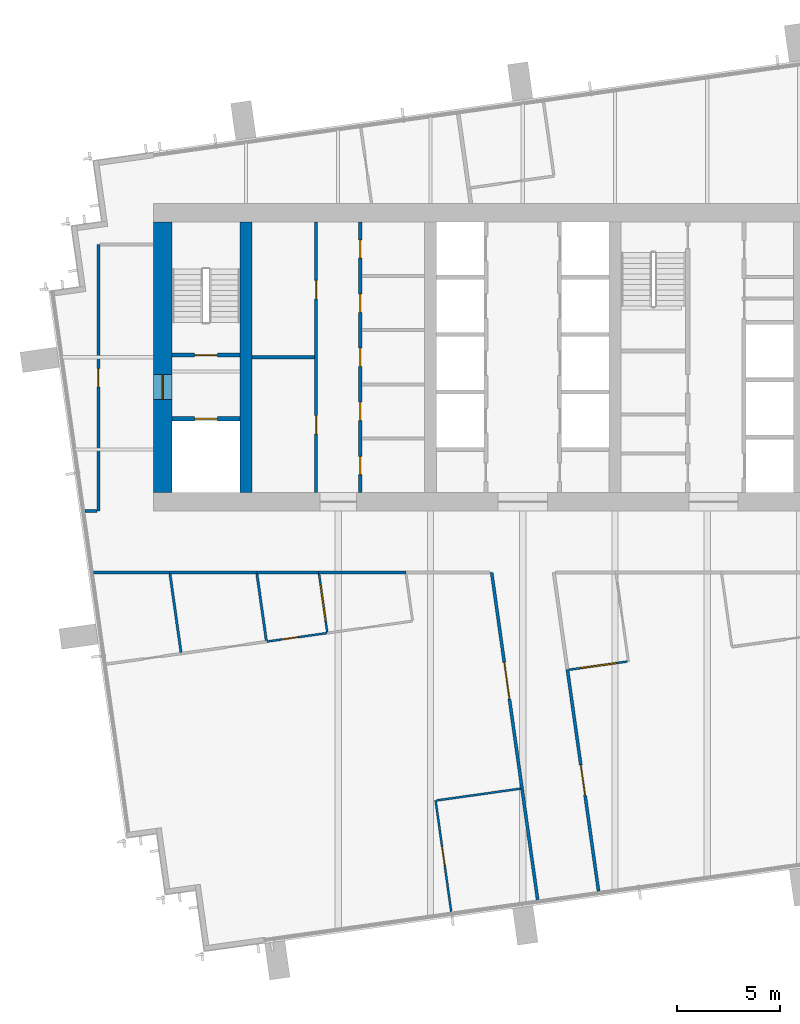
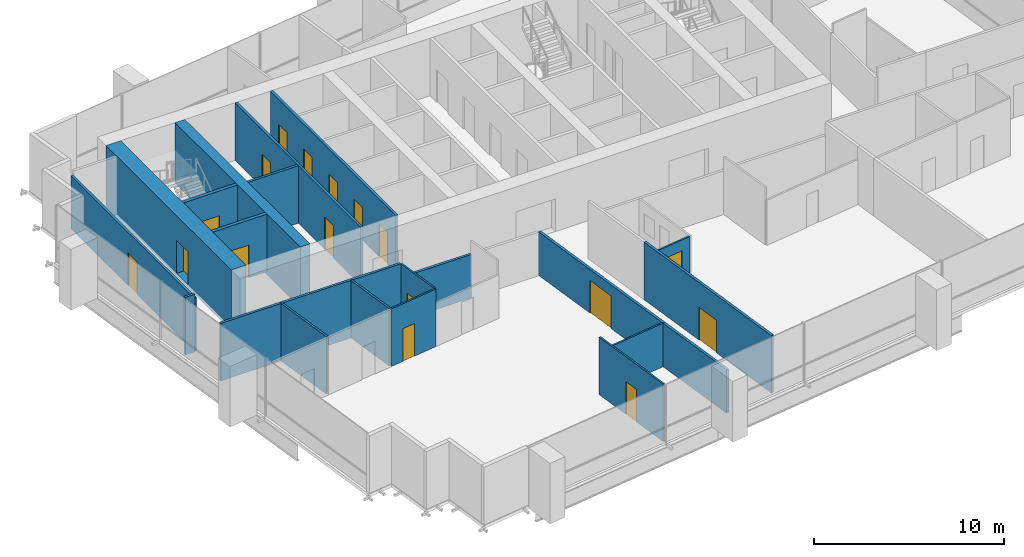
# One storey, part 9 of 14: 23 walls, 15 doors, 2 windows, 17 openings.
"""IFC4 building model written with IfcOpenShell, lengths in metres."""

import ifcopenshell
import ifcopenshell.guid

model = None  # the IFC model being written
_history = None  # IfcOwnerHistory: only IFC2X3 demands one
_inside = {}  # id of a spatial element -> (the spatial element, [elements in it])
_under = {}  # id of a project, library or spatial element -> (it, [spatial elements below it])
_declared = {}  # id of a project -> (the project, [libraries it declares])
_typed = {}  # id of a type object -> (the type object, [elements of that type])
_made_of = {}  # id of a material, layer set ... -> (it, [elements and type objects made of it])


def new_model(schema):
    """Start an empty IFC model of exactly this schema.

    Asked for "IFC4X3", IfcOpenShell would pick the latest addendum, in which some entities
    have other attributes; the version numbers below select the first issue.
    IFC2X3 requires an IfcOwnerHistory on every rooted entity: one is made here for all.
    """
    global model, _history
    if schema == "IFC4X3":
        model = ifcopenshell.file(schema_version=(4, 3, 0, 0))
    else:
        model = ifcopenshell.file(schema=schema)
    _inside.clear()
    _under.clear()
    _declared.clear()
    _typed.clear()
    _made_of.clear()
    _history = None
    if model.schema == "IFC2X3":
        org = make("IfcOrganization", Name="unknown")
        user = make(
            "IfcPersonAndOrganization",
            ThePerson=make("IfcPerson", FamilyName="unknown"),
            TheOrganization=org,
        )
        app = make(
            "IfcApplication",
            ApplicationDeveloper=org,
            Version="unknown",
            ApplicationFullName="unknown",
            ApplicationIdentifier="unknown",
        )
        _history = make(
            "IfcOwnerHistory",
            OwningUser=user,
            OwningApplication=app,
            ChangeAction="ADDED",
            CreationDate=0,
        )
    return model


def make(cls, **values):
    """One entity of the class cls with the attributes given. An attribute that is None is left unset."""
    return model.create_entity(
        cls, **{name: value for name, value in values.items() if value is not None}
    )


def rooted(cls, **values):
    """An entity with a GlobalId (a new one), such as an element, a storey or a relation."""
    return make(cls, GlobalId=ifcopenshell.guid.new(), OwnerHistory=_history, **values)


def si_unit(unit_type, name, prefix=None):
    """IfcSIUnit, for example si_unit("LENGTHUNIT", "METRE", prefix="MILLI")."""
    return make("IfcSIUnit", UnitType=unit_type, Prefix=prefix, Name=name)


def assignment(units):
    """IfcUnitAssignment: the units of a project."""
    return None if units is None else make("IfcUnitAssignment", Units=units)


def point(xyz):
    """IfcCartesianPoint."""
    return None if xyz is None else make("IfcCartesianPoint", Coordinates=xyz)


def direction(xyz):
    """IfcDirection."""
    return None if xyz is None else make("IfcDirection", DirectionRatios=xyz)


def frame(location, z_axis=None, x_axis=None):
    """IfcAxis2Placement3D, a coordinate frame: its origin and axes. An axis left out is left unset."""
    return make(
        "IfcAxis2Placement3D",
        Location=point(location),
        Axis=direction(z_axis),
        RefDirection=direction(x_axis),
    )


def frame_2d(location, x_axis=None):
    """IfcAxis2Placement2D, a coordinate frame in the plane: its origin and x axis."""
    return make(
        "IfcAxis2Placement2D", Location=point(location), RefDirection=direction(x_axis)
    )


def origin():
    """The frame at (0, 0, 0) with its axes left unset."""
    return frame((0.0, 0.0, 0.0))


def place(relative_to, where):
    """IfcLocalPlacement: puts the frame where relative to a parent placement (None: the world)."""
    return make(
        "IfcLocalPlacement", PlacementRelTo=relative_to, RelativePlacement=where
    )


def context(
    kind, dimensions, precision=None, world=None, true_north=None, identifier=None
):
    """IfcGeometricRepresentationContext, for example the 3D "Model" context."""
    return make(
        "IfcGeometricRepresentationContext",
        ContextIdentifier=identifier,
        ContextType=kind,
        CoordinateSpaceDimension=dimensions,
        Precision=precision,
        WorldCoordinateSystem=world,
        TrueNorth=true_north,
    )


def subcontext(parent, identifier, kind, view, scale=None):
    """IfcGeometricRepresentationSubContext, for example "Body" below "Model"."""
    return make(
        "IfcGeometricRepresentationSubContext",
        ContextIdentifier=identifier,
        ContextType=kind,
        ParentContext=parent,
        TargetScale=scale,
        TargetView=view,
    )


def project(units=None, contexts=None):
    """IfcProject with its units and contexts."""
    return rooted(
        "IfcProject",
        Name="project",
        RepresentationContexts=contexts,
        UnitsInContext=assignment(units),
    )


def spatial(cls, under=None, at=None, **own):
    """A site, building, storey or space (cls), placed at a placement, below another one or the project."""
    s = rooted(cls, ObjectPlacement=at, **own)
    if under is not None:
        _under.setdefault(under.id(), (under, []))[1].append(s)
    return s


def profile(cls, at=None, kind="AREA", **sizes):
    """A parametric profile (cls). Its sizes go by their IFC names, for example OverallWidth=200.0."""
    return make(cls, ProfileType=kind, Position=at, **sizes)


def rectangle(**sizes):
    """IfcRectangleProfileDef."""
    return profile("IfcRectangleProfileDef", **sizes)


def extrude(swept, where, along, depth):
    """IfcExtrudedAreaSolid: the profile swept, set in the frame where, extruded along a direction by depth."""
    return make(
        "IfcExtrudedAreaSolid",
        SweptArea=swept,
        Position=where,
        ExtrudedDirection=direction(along),
        Depth=depth,
    )


def shape(context_of_items, identifier, shape_type, items):
    """IfcShapeRepresentation: the items that make up one representation, for example the "Body"."""
    return make(
        "IfcShapeRepresentation",
        ContextOfItems=context_of_items,
        RepresentationIdentifier=identifier,
        RepresentationType=shape_type,
        Items=items,
    )


def material(Name=None, Category=None):
    """IfcMaterial."""
    return make("IfcMaterial", Name=Name, Category=Category)


def layer(
    of_material, thickness, ventilated=None, Name=None, Category=None, Priority=None
):
    """IfcMaterialLayer: one layer of a wall or slab, of a material (None: an air gap)."""
    return make(
        "IfcMaterialLayer",
        Material=of_material,
        LayerThickness=thickness,
        IsVentilated=ventilated,
        Name=Name,
        Category=Category,
        Priority=Priority,
    )


def layer_set(layers, Name=None):
    """IfcMaterialLayerSet."""
    return make("IfcMaterialLayerSet", MaterialLayers=layers, LayerSetName=Name)


def made_of(thing, what):
    """Note that an element or type object is made of a material, layer set ...; save() writes the relation."""
    if what is not None:
        _made_of.setdefault(what.id(), (what, []))[1].append(thing)
    return thing


def type_object(cls, material=None, **own):
    """A type object (cls), such as IfcWallType, which elements share."""
    return made_of(rooted(cls, **own), material)


def element(
    cls,
    number,
    at=None,
    inside=None,
    cuts=None,
    type_object=None,
    material=None,
    context=None,
    identifier="Body",
    shape_type=None,
    held_by="IfcProductDefinitionShape",
    body=None,
    shapes=None,
    **own,
):
    """One element of the class cls, such as IfcWall. Its Tag is "e" and its number.

    at: its placement. inside: the storey or other place that contains it. cuts: it is an
    opening in that element (IfcRelVoidsElement). A single representation is given by context,
    identifier, shape_type and body (its items); several are given by shapes. held_by: the class
    of the entity that holds the representations. save() writes the other relations.
    """
    e = rooted(cls, Tag="e%d" % number, ObjectPlacement=at, **own)
    if body is not None:
        shapes = [shape(context, identifier, shape_type, body)]
    if shapes is not None:
        e.Representation = make(held_by, Representations=shapes)
    if inside is not None:
        _inside.setdefault(inside.id(), (inside, []))[1].append(e)
    if cuts is not None:
        rooted(
            "IfcRelVoidsElement", RelatingBuildingElement=cuts, RelatedOpeningElement=e
        )
    if type_object is not None:
        _typed.setdefault(type_object.id(), (type_object, []))[1].append(e)
    return made_of(e, material)


def fill(opening, filler):
    """IfcRelFillsElement: the door or window that sits in an opening."""
    return rooted(
        "IfcRelFillsElement",
        RelatingOpeningElement=opening,
        RelatedBuildingElement=filler,
    )


def aggregate(whole, parts):
    """IfcRelAggregates: a whole, such as a stair, and the parts it consists of."""
    return rooted("IfcRelAggregates", RelatingObject=whole, RelatedObjects=parts)


def save(model, path):
    """Write the relations noted so far, then the file.

    IfcRelAggregates (storeys below a building ...), IfcRelContainedInSpatialStructure (elements
    in a storey), IfcRelDefinesByType, IfcRelAssociatesMaterial and IfcRelDeclares: one each for
    every whole, place, type object, material and project.
    """
    for whole, parts in _under.values():
        aggregate(whole, parts)
    for where, things in _inside.values():
        rooted(
            "IfcRelContainedInSpatialStructure",
            RelatedElements=things,
            RelatingStructure=where,
        )
    for kind, things in _typed.values():
        rooted("IfcRelDefinesByType", RelatedObjects=things, RelatingType=kind)
    for what, things in _made_of.values():
        rooted("IfcRelAssociatesMaterial", RelatedObjects=things, RelatingMaterial=what)
    for by, libraries in _declared.values():
        rooted("IfcRelDeclares", RelatingContext=by, RelatedDefinitions=libraries)
    model.write(path)


model = new_model("IFC4")

# Units and contexts
model_context = context("Model", 3, precision=1e-05, world=origin(), true_north=direction((0.0, 1.0)))
body_context = subcontext(model_context, "Body", "Model", "MODEL_VIEW")
ifc_project = project(units=[si_unit("LENGTHUNIT", "METRE"), si_unit("AREAUNIT", "SQUARE_METRE"), si_unit("VOLUMEUNIT", "CUBIC_METRE"), si_unit("PLANEANGLEUNIT", "RADIAN"), si_unit("MASSUNIT", "GRAM", prefix="KILO")], contexts=[model_context])

# Site, building, storey
site_placement = place(None, origin())
site = spatial("IfcSite", under=ifc_project, at=site_placement, CompositionType="ELEMENT")
building_placement = place(site_placement, origin())
building = spatial("IfcBuilding", under=site, at=building_placement, Name="Rattan Terrace Tower", CompositionType="ELEMENT")
storey_placement = place(building_placement, frame((0.0, 0.0, 229.10009765625)))
storey = spatial("IfcBuildingStorey", under=building, at=storey_placement, Name="L52", CompositionType="ELEMENT", Elevation=229.10009765625)

# Wall, openings, doors
ifc_material_1 = material(Name="Gypsum board partition")
ifc_layer_1 = layer(ifc_material_1, 0.14990234375)
ifc_layer_set_1 = layer_set([ifc_layer_1], Name="Core partition 150")
wall_type_1 = type_object("IfcWallType", Name="Core partition 150", PredefinedType="PARTITIONING", material=ifc_layer_set_1)
wall_1_placement = place(storey_placement, frame((-10.074951171875, -6.60009765625, 0.0), z_axis=(0.0, 0.0, 1.0), x_axis=(0.0, 1.0, 0.0)))
wall_1 = element("IfcWall", 1, at=wall_1_placement, inside=storey, type_object=wall_type_1, Name="Core room wall", PredefinedType="PARTITIONING", context=body_context, shape_type="SweptSolid", body=[
    extrude(rectangle(XDim=13.2001953125, YDim=0.14990234375, at=frame_2d((6.60009765625, 0.0))), origin(), (0.0, 0.0, 1.0), 3.699951171875),
])
opening_1_placement = place(wall_1_placement, frame((2.85009765625, 0.0, 0.0)))
opening_1 = element("IfcOpeningElement", 2, at=opening_1_placement, cuts=wall_1, Name="Opening L52-D005", PredefinedType="OPENING", context=body_context, shape_type="SweptSolid", body=[
    extrude(rectangle(XDim=0.89990234375, YDim=2.10009765625, at=frame_2d((0.449951171875, 1.050048828125))), frame((0.0, 0.08544921875, 0.0), z_axis=(0.0, -1.0, 0.0), x_axis=(1.0, 0.0, 0.0)), (0.0, 0.0, 1.0), 0.1708984375),
])
opening_2_placement = place(wall_1_placement, frame((9.449951171875, 0.0, 0.0)))
opening_2 = element("IfcOpeningElement", 3, at=opening_2_placement, cuts=wall_1, Name="Opening L52-D006", PredefinedType="OPENING", context=body_context, shape_type="SweptSolid", body=[
    extrude(rectangle(XDim=0.89990234375, YDim=2.10009765625, at=frame_2d((0.449951171875, 1.050048828125))), frame((0.0, 0.08544921875, 0.0), z_axis=(0.0, -1.0, 0.0), x_axis=(1.0, 0.0, 0.0)), (0.0, 0.0, 1.0), 0.1708984375),
])
ifc_material_2 = material(Name="Hollow-metal fire door leaf")
door_type_1 = type_object("IfcDoorType", Name="Core service room door 900", OperationType="NOTDEFINED", PredefinedType="DOOR", material=ifc_material_2)
door_1_placement = place(opening_1_placement, origin())
door_1 = element("IfcDoor", 4, at=door_1_placement, inside=storey, type_object=door_type_1, Name="Door L52-D005", OperationType="SINGLE_SWING_RIGHT", OverallHeight=2.10009765625, OverallWidth=0.89990234375, PredefinedType="DOOR", context=body_context, shape_type="SweptSolid", body=[
    extrude(rectangle(XDim=0.89990234375, YDim=2.10009765625, at=frame_2d((0.449951171875, 1.050048828125))), frame((0.0, 0.02490234375, 0.0), z_axis=(0.0, -1.0, 0.0), x_axis=(1.0, 0.0, 0.0)), (0.0, 0.0, 1.0), 0.050048828125),
])
fill(opening_1, door_1)
door_2_placement = place(opening_2_placement, origin())
door_2 = element("IfcDoor", 5, at=door_2_placement, inside=storey, type_object=door_type_1, Name="Door L52-D006", OperationType="SINGLE_SWING_LEFT", OverallHeight=2.10009765625, OverallWidth=0.89990234375, PredefinedType="DOOR", context=body_context, shape_type="SweptSolid", body=[
    extrude(rectangle(XDim=0.89990234375, YDim=2.10009765625, at=frame_2d((0.449951171875, 1.050048828125))), frame((0.0, 0.02490234375, 0.0), z_axis=(0.0, -1.0, 0.0), x_axis=(1.0, 0.0, 0.0)), (0.0, 0.0, 1.0), 0.050048828125),
])
fill(opening_2, door_2)

# Wall
wall_2_placement = place(storey_placement, frame((-13.199951171875, 0.0, 0.0), z_axis=(0.0, 0.0, 1.0), x_axis=(1.0, 0.0, 0.0)))
element("IfcWall", 6, at=wall_2_placement, inside=storey, type_object=wall_type_1, Name="Core room wall", PredefinedType="PARTITIONING", context=body_context, shape_type="SweptSolid", body=[
    extrude(rectangle(XDim=3.050048828125, YDim=0.14990234375, at=frame_2d((1.52490234375, 0.0))), origin(), (0.0, 0.0, 1.0), 3.699951171875),
])

# Wall, openings, doors
wall_3_placement = place(storey_placement, frame((-7.925048828125, -6.60009765625, 0.0), z_axis=(0.0, 0.0, 1.0), x_axis=(0.0, 1.0, 0.0)))
wall_3 = element("IfcWall", 7, at=wall_3_placement, inside=storey, type_object=wall_type_1, Name="Core room wall", PredefinedType="PARTITIONING", context=body_context, shape_type="SweptSolid", body=[
    extrude(rectangle(XDim=13.2001953125, YDim=0.14990234375, at=frame_2d((6.60009765625, 0.0))), origin(), (0.0, 0.0, 1.0), 3.699951171875),
])
opening_3_placement = place(wall_3_placement, frame((0.8701171875, 0.0, 0.0)))
opening_3 = element("IfcOpeningElement", 8, at=opening_3_placement, cuts=wall_3, Name="Opening L52-D007", PredefinedType="OPENING", context=body_context, shape_type="SweptSolid", body=[
    extrude(rectangle(XDim=0.89990234375, YDim=2.10009765625, at=frame_2d((0.449951171875, 1.050048828125))), frame((0.0, 0.08544921875, 0.0), z_axis=(0.0, -1.0, 0.0), x_axis=(1.0, 0.0, 0.0)), (0.0, 0.0, 1.0), 0.1708984375),
])
opening_4_placement = place(wall_3_placement, frame((3.510009765625, 0.0, 0.0)))
opening_4 = element("IfcOpeningElement", 9, at=opening_4_placement, cuts=wall_3, Name="Opening L52-D008", PredefinedType="OPENING", context=body_context, shape_type="SweptSolid", body=[
    extrude(rectangle(XDim=0.89990234375, YDim=2.10009765625, at=frame_2d((0.449951171875, 1.050048828125))), frame((0.0, 0.08544921875, 0.0), z_axis=(0.0, -1.0, 0.0), x_axis=(1.0, 0.0, 0.0)), (0.0, 0.0, 1.0), 0.1708984375),
])
opening_5_placement = place(wall_3_placement, frame((6.14990234375, 0.0, 0.0)))
opening_5 = element("IfcOpeningElement", 10, at=opening_5_placement, cuts=wall_3, Name="Opening L52-D009", PredefinedType="OPENING", context=body_context, shape_type="SweptSolid", body=[
    extrude(rectangle(XDim=0.89990234375, YDim=2.10009765625, at=frame_2d((0.449951171875, 1.050048828125))), frame((0.0, 0.08544921875, 0.0), z_axis=(0.0, -1.0, 0.0), x_axis=(1.0, 0.0, 0.0)), (0.0, 0.0, 1.0), 0.1708984375),
])
opening_6_placement = place(wall_3_placement, frame((8.7900390625, 0.0, 0.0)))
opening_6 = element("IfcOpeningElement", 11, at=opening_6_placement, cuts=wall_3, Name="Opening L52-D010", PredefinedType="OPENING", context=body_context, shape_type="SweptSolid", body=[
    extrude(rectangle(XDim=0.89990234375, YDim=2.10009765625, at=frame_2d((0.449951171875, 1.050048828125))), frame((0.0, 0.08544921875, 0.0), z_axis=(0.0, -1.0, 0.0), x_axis=(1.0, 0.0, 0.0)), (0.0, 0.0, 1.0), 0.1708984375),
])
opening_7_placement = place(wall_3_placement, frame((11.429931640625, 0.0, 0.0)))
opening_7 = element("IfcOpeningElement", 12, at=opening_7_placement, cuts=wall_3, Name="Opening L52-D011", PredefinedType="OPENING", context=body_context, shape_type="SweptSolid", body=[
    extrude(rectangle(XDim=0.89990234375, YDim=2.10009765625, at=frame_2d((0.449951171875, 1.050048828125))), frame((0.0, 0.08544921875, 0.0), z_axis=(0.0, -1.0, 0.0), x_axis=(1.0, 0.0, 0.0)), (0.0, 0.0, 1.0), 0.1708984375),
])
door_3_placement = place(opening_3_placement, origin())
door_3 = element("IfcDoor", 13, at=door_3_placement, inside=storey, type_object=door_type_1, Name="Door L52-D007", OperationType="SINGLE_SWING_RIGHT", OverallHeight=2.10009765625, OverallWidth=0.89990234375, PredefinedType="DOOR", context=body_context, shape_type="SweptSolid", body=[
    extrude(rectangle(XDim=0.89990234375, YDim=2.10009765625, at=frame_2d((0.449951171875, 1.050048828125))), frame((0.0, 0.02490234375, 0.0), z_axis=(0.0, -1.0, 0.0), x_axis=(1.0, 0.0, 0.0)), (0.0, 0.0, 1.0), 0.050048828125),
])
fill(opening_3, door_3)
door_4_placement = place(opening_4_placement, origin())
door_4 = element("IfcDoor", 14, at=door_4_placement, inside=storey, type_object=door_type_1, Name="Door L52-D008", OperationType="SINGLE_SWING_LEFT", OverallHeight=2.10009765625, OverallWidth=0.89990234375, PredefinedType="DOOR", context=body_context, shape_type="SweptSolid", body=[
    extrude(rectangle(XDim=0.89990234375, YDim=2.10009765625, at=frame_2d((0.449951171875, 1.050048828125))), frame((0.0, 0.02490234375, 0.0), z_axis=(0.0, -1.0, 0.0), x_axis=(1.0, 0.0, 0.0)), (0.0, 0.0, 1.0), 0.050048828125),
])
fill(opening_4, door_4)
door_5_placement = place(opening_5_placement, origin())
door_5 = element("IfcDoor", 15, at=door_5_placement, inside=storey, type_object=door_type_1, Name="Door L52-D009", OperationType="SINGLE_SWING_RIGHT", OverallHeight=2.10009765625, OverallWidth=0.89990234375, PredefinedType="DOOR", context=body_context, shape_type="SweptSolid", body=[
    extrude(rectangle(XDim=0.89990234375, YDim=2.10009765625, at=frame_2d((0.449951171875, 1.050048828125))), frame((0.0, 0.02490234375, 0.0), z_axis=(0.0, -1.0, 0.0), x_axis=(1.0, 0.0, 0.0)), (0.0, 0.0, 1.0), 0.050048828125),
])
fill(opening_5, door_5)
door_6_placement = place(opening_6_placement, origin())
door_6 = element("IfcDoor", 16, at=door_6_placement, inside=storey, type_object=door_type_1, Name="Door L52-D010", OperationType="SINGLE_SWING_LEFT", OverallHeight=2.10009765625, OverallWidth=0.89990234375, PredefinedType="DOOR", context=body_context, shape_type="SweptSolid", body=[
    extrude(rectangle(XDim=0.89990234375, YDim=2.10009765625, at=frame_2d((0.449951171875, 1.050048828125))), frame((0.0, 0.02490234375, 0.0), z_axis=(0.0, -1.0, 0.0), x_axis=(1.0, 0.0, 0.0)), (0.0, 0.0, 1.0), 0.050048828125),
])
fill(opening_6, door_6)
door_7_placement = place(opening_7_placement, origin())
door_7 = element("IfcDoor", 17, at=door_7_placement, inside=storey, type_object=door_type_1, Name="Door L52-D011", OperationType="SINGLE_SWING_RIGHT", OverallHeight=2.10009765625, OverallWidth=0.89990234375, PredefinedType="DOOR", context=body_context, shape_type="SweptSolid", body=[
    extrude(rectangle(XDim=0.89990234375, YDim=2.10009765625, at=frame_2d((0.449951171875, 1.050048828125))), frame((0.0, 0.02490234375, 0.0), z_axis=(0.0, -1.0, 0.0), x_axis=(1.0, 0.0, 0.0)), (0.0, 0.0, 1.0), 0.050048828125),
])
fill(opening_7, door_7)

# Wall, opening, door
ifc_material_3 = material(Name="Gypsum board partition")
ifc_layer_2 = layer(ifc_material_3, 0.199951171875)
ifc_layer_set_2 = layer_set([ifc_layer_2], Name="Core partition 200")
wall_type_2 = type_object("IfcWallType", Name="Core partition 200", PredefinedType="PARTITIONING", material=ifc_layer_set_2)
wall_4_placement = place(storey_placement, frame((-17.10009765625, -3.0, 0.0), z_axis=(0.0, 0.0, 1.0), x_axis=(1.0, 0.0, 0.0)))
wall_4 = element("IfcWall", 18, at=wall_4_placement, inside=storey, type_object=wall_type_2, Name="Fire-fighting lobby wall", PredefinedType="PARTITIONING", context=body_context, shape_type="SweptSolid", body=[
    extrude(rectangle(XDim=3.300048828125, YDim=0.199951171875, at=frame_2d((1.64990234375, 0.0))), origin(), (0.0, 0.0, 1.0), 3.699951171875),
])
opening_8_placement = place(wall_4_placement, frame((1.10009765625, 0.0, 0.0)))
opening_8 = element("IfcOpeningElement", 19, at=opening_8_placement, cuts=wall_4, Name="Opening L52-LD-FF1", PredefinedType="OPENING", context=body_context, shape_type="SweptSolid", body=[
    extrude(rectangle(XDim=1.10009765625, YDim=2.10009765625, at=frame_2d((0.550048828125, 1.050048828125))), frame((0.0, 0.110595703125, 0.0), z_axis=(0.0, -1.0, 0.0), x_axis=(1.0, 0.0, 0.0)), (0.0, 0.0, 1.0), 0.220947265625),
])
ifc_material_4 = material(Name="Brushed stainless landing door panel")
door_type_2 = type_object("IfcDoorType", Name="Core lift landing door 1100", OperationType="DOUBLE_DOOR_SLIDING", PredefinedType="DOOR", material=ifc_material_4)
door_8_placement = place(opening_8_placement, origin())
door_8 = element("IfcDoor", 20, at=door_8_placement, inside=storey, type_object=door_type_2, Name="Door L52-LD-FF1", OperationType="DOUBLE_DOOR_SLIDING", OverallHeight=2.10009765625, OverallWidth=1.10009765625, PredefinedType="DOOR", context=body_context, shape_type="SweptSolid", body=[
    extrude(rectangle(XDim=1.10009765625, YDim=2.10009765625, at=frame_2d((0.550048828125, 1.050048828125))), frame((0.0, 0.02490234375, 0.0), z_axis=(0.0, -1.0, 0.0), x_axis=(1.0, 0.0, 0.0)), (0.0, 0.0, 1.0), 0.050048828125),
])
fill(opening_8, door_8)

wall_5_placement = place(storey_placement, frame((-17.10009765625, 0.10009765625, 0.0), z_axis=(0.0, 0.0, 1.0), x_axis=(1.0, 0.0, 0.0)))
wall_5 = element("IfcWall", 21, at=wall_5_placement, inside=storey, type_object=wall_type_2, Name="Stair enclosure wall", PredefinedType="PARTITIONING", context=body_context, shape_type="SweptSolid", body=[
    extrude(rectangle(XDim=3.300048828125, YDim=0.199951171875, at=frame_2d((1.64990234375, 0.0))), origin(), (0.0, 0.0, 1.0), 3.699951171875),
])
opening_9_placement = place(wall_5_placement, frame((1.10009765625, 0.0, 0.0)))
opening_9 = element("IfcOpeningElement", 22, at=opening_9_placement, cuts=wall_5, Name="Opening L52-D002", PredefinedType="OPENING", context=body_context, shape_type="SweptSolid", body=[
    extrude(rectangle(XDim=1.10009765625, YDim=2.10009765625, at=frame_2d((0.550048828125, 1.050048828125))), frame((0.0, 0.110595703125, 0.0), z_axis=(0.0, -1.0, 0.0), x_axis=(1.0, 0.0, 0.0)), (0.0, 0.0, 1.0), 0.220947265625),
])
ifc_material_5 = material(Name="Hollow-metal fire door leaf")
door_type_3 = type_object("IfcDoorType", Name="Core stair door 1100", OperationType="NOTDEFINED", PredefinedType="DOOR", material=ifc_material_5)
door_9_placement = place(opening_9_placement, origin())
door_9 = element("IfcDoor", 23, at=door_9_placement, inside=storey, type_object=door_type_3, Name="Door L52-D002", OperationType="SINGLE_SWING_LEFT", OverallHeight=2.10009765625, OverallWidth=1.10009765625, PredefinedType="DOOR", context=body_context, shape_type="SweptSolid", body=[
    extrude(rectangle(XDim=1.10009765625, YDim=2.10009765625, at=frame_2d((0.550048828125, 1.050048828125))), frame((0.0, 0.02490234375, 0.0), z_axis=(0.0, -1.0, 0.0), x_axis=(1.0, 0.0, 0.0)), (0.0, 0.0, 1.0), 0.050048828125),
])
fill(opening_9, door_9)

ifc_material_6 = material(Name="Concrete C50/60", Category="concrete")
ifc_layer_3 = layer(ifc_material_6, 0.89990234375)
ifc_layer_set_3 = layer_set([ifc_layer_3], Name="Core ring wall 900 C50/60")
wall_type_3 = type_object("IfcWallType", Name="Core ring wall 900 C50/60", PredefinedType="SHEAR", material=ifc_layer_set_3)
wall_6_placement = place(storey_placement, frame((-17.550048828125, -6.60009765625, -0.2001953125), z_axis=(0.0, 0.0, 1.0), x_axis=(0.0, 1.0, 0.0)))
wall_6 = element("IfcWall", 24, at=wall_6_placement, inside=storey, type_object=wall_type_3, Name="Rear core wall west", PredefinedType="SHEAR", context=body_context, shape_type="SweptSolid", body=[
    extrude(rectangle(XDim=13.2001953125, YDim=0.89990234375, at=frame_2d((6.60009765625, 0.0))), origin(), (0.0, 0.0, 1.0), 3.900146484375),
])
opening_10_placement = place(wall_6_placement, frame((4.550048828125, 0.0, 0.199951171875)))
opening_10 = element("IfcOpeningElement", 25, at=opening_10_placement, cuts=wall_6, Name="Opening L52-D001", PredefinedType="OPENING", context=body_context, shape_type="SweptSolid", body=[
    extrude(rectangle(XDim=1.199951171875, YDim=2.10009765625, at=frame_2d((0.60009765625, 1.050048828125))), frame((0.0, 0.46044921875, 0.0), z_axis=(0.0, -1.0, 0.0), x_axis=(1.0, 0.0, 0.0)), (0.0, 0.0, 1.0), 0.9208984375),
])
ifc_material_7 = material(Name="Hollow-metal fire door leaf")
door_type_4 = type_object("IfcDoorType", Name="Core fire-fighting lobby door 1200", OperationType="NOTDEFINED", PredefinedType="DOOR", material=ifc_material_7)
door_10_placement = place(opening_10_placement, origin())
door_10 = element("IfcDoor", 26, at=door_10_placement, inside=storey, type_object=door_type_4, Name="Door L52-D001", OperationType="SINGLE_SWING_RIGHT", OverallHeight=2.10009765625, OverallWidth=1.199951171875, PredefinedType="DOOR", context=body_context, shape_type="SweptSolid", body=[
    extrude(rectangle(XDim=1.199951171875, YDim=2.10009765625, at=frame_2d((0.60009765625, 1.050048828125))), frame((0.0, 0.02490234375, 0.0), z_axis=(0.0, -1.0, 0.0), x_axis=(1.0, 0.0, 0.0)), (0.0, 0.0, 1.0), 0.050048828125),
])
fill(opening_10, door_10)

# Wall
ifc_material_8 = material(Name="Concrete C50/60", Category="concrete")
ifc_layer_4 = layer(ifc_material_8, 0.60009765625)
ifc_layer_set_4 = layer_set([ifc_layer_4], Name="Core spine wall 600 C50/60")
wall_type_4 = type_object("IfcWallType", Name="Core spine wall 600 C50/60", PredefinedType="SHEAR", material=ifc_layer_set_4)
wall_7_placement = place(storey_placement, frame((-13.5, -6.60009765625, -0.2001953125), z_axis=(0.0, 0.0, 1.0), x_axis=(0.0, 1.0, 0.0)))
element("IfcWall", 27, at=wall_7_placement, inside=storey, type_object=wall_type_4, Name="Core spine wall 1", PredefinedType="SHEAR", context=body_context, shape_type="SweptSolid", body=[
    extrude(rectangle(XDim=13.2001953125, YDim=0.60009765625, at=frame_2d((6.60009765625, 0.0))), origin(), (0.0, 0.0, 1.0), 3.900146484375),
])

# Wall, opening, door
ifc_material_9 = material(Name="Gypsum board partition on steel studs", Category="steel")
ifc_layer_5 = layer(ifc_material_9, 0.10009765625)
ifc_layer_set_5 = layer_set([ifc_layer_5], Name="Floors Partition 100")
wall_type_5 = type_object("IfcWallType", Name="Floors Partition 100", PredefinedType="PARTITIONING", material=ifc_layer_set_5)
wall_8_placement = place(storey_placement, frame((-4.2490234375, -21.625, 0.0), z_axis=(0.0, 0.0, 1.0), x_axis=(0.13906298859, -0.990283537783, 0.0)))
wall_8 = element("IfcWall", 28, at=wall_8_placement, inside=storey, type_object=wall_type_5, Name="pt-L52-025", PredefinedType="PARTITIONING", context=body_context, shape_type="SweptSolid", body=[
    extrude(rectangle(XDim=5.479248046875, YDim=0.10009765625, at=frame_2d((2.73974609375, 0.0))), origin(), (0.0, 0.0, 1.0), 3.699951171875),
])
opening_11_placement = place(wall_8_placement, frame((2.2900390625, 0.0, 0.0)))
opening_11 = element("IfcOpeningElement", 29, at=opening_11_placement, cuts=wall_8, Name="Opening L52-D101", PredefinedType="OPENING", context=body_context, shape_type="SweptSolid", body=[
    extrude(rectangle(XDim=0.89990234375, YDim=2.10009765625, at=frame_2d((0.449951171875, 1.050048828125))), frame((0.0, 0.060546875, 0.0), z_axis=(0.0, -1.0, 0.0), x_axis=(1.0, 0.0, 0.0)), (0.0, 0.0, 1.0), 0.12109375),
])
ifc_material_10 = material(Name="Solid core timber door, painted", Category="wood")
door_type_5 = type_object("IfcDoorType", Name="Floors Door 900x2100", OperationType="NOTDEFINED", PredefinedType="DOOR", material=ifc_material_10)
door_11_placement = place(opening_11_placement, origin())
door_11 = element("IfcDoor", 30, at=door_11_placement, inside=storey, type_object=door_type_5, Name="d-L52-101", OperationType="SINGLE_SWING_RIGHT", OverallHeight=2.10009765625, OverallWidth=0.89990234375, PredefinedType="DOOR", context=body_context, shape_type="SweptSolid", body=[
    extrude(rectangle(XDim=0.89990234375, YDim=2.10009765625, at=frame_2d((0.449951171875, 1.050048828125))), frame((0.0, 0.02490234375, 0.0), z_axis=(0.0, -1.0, 0.0), x_axis=(1.0, 0.0, 0.0)), (0.0, 0.0, 1.0), 0.050048828125),
])
fill(opening_11, door_11)

# Wall
wall_9_placement = place(storey_placement, frame((-0.10888671875, -21.04296875, 0.0), z_axis=(0.0, 0.0, 1.0), x_axis=(-0.990263837068, -0.139203207563, 0.0)))
element("IfcWall", 31, at=wall_9_placement, inside=storey, type_object=wall_type_5, Name="pt-L52-026", PredefinedType="PARTITIONING", context=body_context, shape_type="SweptSolid", body=[
    extrude(rectangle(XDim=4.13037109375, YDim=0.10009765625, at=frame_2d((2.065185546875, 0.0))), origin(), (0.0, 0.0, 1.0), 2.7998046875),
])

# Wall, opening, door
wall_10_placement = place(storey_placement, frame((-12.47998046875, -13.867919921875, 0.0), z_axis=(0.0, 0.0, 1.0), x_axis=(0.990270259545, 0.139157511691, 0.0)))
wall_10 = element("IfcWall", 32, at=wall_10_placement, inside=storey, type_object=wall_type_5, Name="pt-L52-029", PredefinedType="PARTITIONING", context=body_context, shape_type="SweptSolid", body=[
    extrude(rectangle(XDim=2.959716796875, YDim=0.10009765625, at=frame_2d((1.47998046875, 0.0))), origin(), (0.0, 0.0, 1.0), 3.699951171875),
])
opening_12_placement = place(wall_10_placement, frame((0.748046875, 0.0, 0.0)))
opening_12 = element("IfcOpeningElement", 33, at=opening_12_placement, cuts=wall_10, Name="Opening L52-D104", PredefinedType="OPENING", context=body_context, shape_type="SweptSolid", body=[
    extrude(rectangle(XDim=0.800048828125, YDim=2.10009765625, at=frame_2d((0.39990234375, 1.050048828125))), frame((0.0, 0.060546875, 0.0), z_axis=(0.0, -1.0, 0.0), x_axis=(1.0, 0.0, 0.0)), (0.0, 0.0, 1.0), 0.12109375),
])
ifc_material_11 = material(Name="Solid core timber door, painted", Category="wood")
door_type_6 = type_object("IfcDoorType", Name="Floors Store Door 800x2100", OperationType="NOTDEFINED", PredefinedType="DOOR", material=ifc_material_11)
door_12_placement = place(opening_12_placement, origin())
door_12 = element("IfcDoor", 34, at=door_12_placement, inside=storey, type_object=door_type_6, Name="d-L52-104", OperationType="SINGLE_SWING_LEFT", OverallHeight=2.10009765625, OverallWidth=0.800048828125, PredefinedType="DOOR", context=body_context, shape_type="SweptSolid", body=[
    extrude(rectangle(XDim=0.800048828125, YDim=2.10009765625, at=frame_2d((0.39990234375, 1.050048828125))), frame((0.0, 0.02490234375, 0.0), z_axis=(0.0, -1.0, 0.0), x_axis=(1.0, 0.0, 0.0)), (0.0, 0.0, 1.0), 0.050048828125),
])
fill(opening_12, door_12)

# Wall, opening, window
wall_11_placement = place(storey_placement, frame((-9.93408203125, -10.568115234375, 0.0), z_axis=(0.0, 0.0, 1.0), x_axis=(0.139092802353, -0.990279350655, 0.0)))
wall_11 = element("IfcWall", 35, at=wall_11_placement, inside=storey, type_object=wall_type_5, Name="pt-L52-034", PredefinedType="PARTITIONING", context=body_context, shape_type="SweptSolid", body=[
    extrude(rectangle(XDim=2.86279296875, YDim=0.10009765625, at=frame_2d((1.431396484375, 0.0))), origin(), (0.0, 0.0, 1.0), 3.699951171875),
])
opening_13_placement = place(wall_11_placement, frame((0.5400390625, 0.0, 0.89990234375)))
opening_13 = element("IfcOpeningElement", 36, at=opening_13_placement, cuts=wall_11, Name="Opening L52-W100", PredefinedType="OPENING", context=body_context, shape_type="SweptSolid", body=[
    extrude(rectangle(XDim=1.800048828125, YDim=1.199951171875, at=frame_2d((0.89990234375, 0.60009765625))), frame((0.0, 0.060546875, 0.0), z_axis=(0.0, -1.0, 0.0), x_axis=(1.0, 0.0, 0.0)), (0.0, 0.0, 1.0), 0.12109375),
])
ifc_material_12 = material(Name="Glass, clear, fixed in aluminium frame", Category="aluminium")
window_type = type_object("IfcWindowType", Name="Interior Vision Window 1800x1200", PartitioningType="SINGLE_PANEL", PredefinedType="WINDOW", material=ifc_material_12)
window_1_placement = place(opening_13_placement, origin())
window_1 = element("IfcWindow", 37, at=window_1_placement, inside=storey, type_object=window_type, Name="w-L52-100", OverallHeight=1.199951171875, OverallWidth=1.800048828125, PartitioningType="SINGLE_PANEL", PredefinedType="WINDOW", context=body_context, shape_type="SweptSolid", body=[
    extrude(rectangle(XDim=1.800048828125, YDim=1.199951171875, at=frame_2d((0.89990234375, 0.60009765625))), frame((0.0, 0.030029296875, 0.0), z_axis=(0.0, -1.0, 0.0), x_axis=(1.0, 0.0, 0.0)), (0.0, 0.0, 1.0), 0.06005859375),
])
fill(opening_13, window_1)

wall_12_placement = place(storey_placement, frame((2.258056640625, -15.242919921875, 0.0), z_axis=(0.0, 0.0, 1.0), x_axis=(0.990271399447, 0.139149399699, 0.0)))
wall_12 = element("IfcWall", 38, at=wall_12_placement, inside=storey, type_object=wall_type_5, Name="pt-L52-035", PredefinedType="PARTITIONING", context=body_context, shape_type="SweptSolid", body=[
    extrude(rectangle(XDim=2.8740234375, YDim=0.10009765625, at=frame_2d((1.43701171875, 0.0))), origin(), (0.0, 0.0, 1.0), 2.7998046875),
])
opening_14_placement = place(wall_12_placement, frame((0.537109375, 0.0, 0.89990234375)))
opening_14 = element("IfcOpeningElement", 39, at=opening_14_placement, cuts=wall_12, Name="Opening L52-W101", PredefinedType="OPENING", context=body_context, shape_type="SweptSolid", body=[
    extrude(rectangle(XDim=1.800048828125, YDim=1.199951171875, at=frame_2d((0.89990234375, 0.60009765625))), frame((0.0, 0.060546875, 0.0), z_axis=(0.0, -1.0, 0.0), x_axis=(1.0, 0.0, 0.0)), (0.0, 0.0, 1.0), 0.12109375),
])
window_2_placement = place(opening_14_placement, origin())
window_2 = element("IfcWindow", 40, at=window_2_placement, inside=storey, type_object=window_type, Name="w-L52-101", OverallHeight=1.199951171875, OverallWidth=1.800048828125, PartitioningType="SINGLE_PANEL", PredefinedType="WINDOW", context=body_context, shape_type="SweptSolid", body=[
    extrude(rectangle(XDim=1.800048828125, YDim=1.199951171875, at=frame_2d((0.89990234375, 0.60009765625))), frame((0.0, 0.030029296875, 0.0), z_axis=(0.0, -1.0, 0.0), x_axis=(1.0, 0.0, 0.0)), (0.0, 0.0, 1.0), 0.06005859375),
])
fill(opening_14, window_2)

# Wall, opening, door
ifc_material_13 = material(Name="Gypsum board partition on steel studs, fire rated", Category="steel")
ifc_layer_6 = layer(ifc_material_13, 0.14990234375)
ifc_layer_set_6 = layer_set([ifc_layer_6], Name="Floors Tenancy Wall 150")
wall_type_6 = type_object("IfcWallType", Name="Floors Tenancy Wall 150", PredefinedType="PARTITIONING", material=ifc_layer_set_6)
wall_13_placement = place(storey_placement, frame((-0.031982421875, -21.052978515625, 0.0), z_axis=(0.0, 0.0, 1.0), x_axis=(-0.139153385275, 0.9902708394, 0.0)))
wall_13 = element("IfcWall", 41, at=wall_13_placement, inside=storey, type_object=wall_type_6, Name="pt-L52-002", PredefinedType="PARTITIONING", context=body_context, shape_type="SweptSolid", body=[
    extrude(rectangle(XDim=10.65673828125, YDim=0.14990234375, at=frame_2d((5.328369140625, 0.0))), origin(), (0.0, 0.0, 1.0), 2.7998046875),
])
opening_15_placement = place(wall_13_placement, frame((4.427978515625, 0.0, 0.0)))
opening_15 = element("IfcOpeningElement", 42, at=opening_15_placement, cuts=wall_13, Name="Opening L52-D100", PredefinedType="OPENING", context=body_context, shape_type="SweptSolid", body=[
    extrude(rectangle(XDim=1.800048828125, YDim=2.10009765625, at=frame_2d((0.89990234375, 1.050048828125))), frame((0.0, 0.08544921875, 0.0), z_axis=(0.0, -1.0, 0.0), x_axis=(1.0, 0.0, 0.0)), (0.0, 0.0, 1.0), 0.1708984375),
])
ifc_material_14 = material(Name="Steel fire door set", Category="steel")
door_type_7 = type_object("IfcDoorType", Name="Floors Fire Door Pair FD30S 1800x2100", OperationType="NOTDEFINED", PredefinedType="DOOR", material=ifc_material_14)
door_13_placement = place(opening_15_placement, origin())
door_13 = element("IfcDoor", 43, at=door_13_placement, inside=storey, type_object=door_type_7, Name="d-L52-100", OperationType="DOUBLE_DOOR_SINGLE_SWING", OverallHeight=2.10009765625, OverallWidth=1.800048828125, PredefinedType="DOOR", context=body_context, shape_type="SweptSolid", body=[
    extrude(rectangle(XDim=1.800048828125, YDim=2.10009765625, at=frame_2d((0.89990234375, 1.050048828125))), frame((0.0, 0.02490234375, 0.0), z_axis=(0.0, -1.0, 0.0), x_axis=(1.0, 0.0, 0.0)), (0.0, 0.0, 1.0), 0.050048828125),
])
fill(opening_15, door_13)

# Walls
wall_14_placement = place(storey_placement, frame((0.72802734375, -26.4599609375, 0.0), z_axis=(0.0, 0.0, 1.0), x_axis=(-0.139192487281, 0.990265343978, 0.0)))
element("IfcWall", 44, at=wall_14_placement, inside=storey, type_object=wall_type_6, Name="pt-L52-003", PredefinedType="PARTITIONING", context=body_context, shape_type="SweptSolid", body=[
    extrude(rectangle(XDim=5.460205078125, YDim=0.14990234375, at=frame_2d((2.72998046875, 0.0))), origin(), (0.0, 0.0, 1.0), 2.7998046875),
])
wall_15_placement = place(storey_placement, frame((-17.235107421875, -10.5, 0.0), z_axis=(0.0, 0.0, 1.0), x_axis=(-1.0, 0.0, 0.0)))
element("IfcWall", 45, at=wall_15_placement, inside=storey, type_object=wall_type_6, Name="pt-L52-004", PredefinedType="PARTITIONING", context=body_context, shape_type="SweptSolid", body=[
    extrude(rectangle(XDim=3.69482421875, YDim=0.14990234375, at=frame_2d((1.847412109375, 0.0))), origin(), (0.0, 0.0, 1.0), 3.699951171875),
])
wall_16_placement = place(storey_placement, frame((-12.9541015625, -10.5, 0.0), z_axis=(0.0, 0.0, 1.0), x_axis=(-1.0, 0.0, 0.0)))
element("IfcWall", 46, at=wall_16_placement, inside=storey, type_object=wall_type_6, Name="pt-L52-005", PredefinedType="PARTITIONING", context=body_context, shape_type="SweptSolid", body=[
    extrude(rectangle(XDim=4.281005859375, YDim=0.14990234375, at=frame_2d((2.140625, 0.0))), origin(), (0.0, 0.0, 1.0), 3.699951171875),
])
wall_17_placement = place(storey_placement, frame((-9.964111328125, -10.5, 0.0), z_axis=(0.0, 0.0, 1.0), x_axis=(-1.0, 0.0, 0.0)))
element("IfcWall", 47, at=wall_17_placement, inside=storey, type_object=wall_type_6, Name="pt-L52-006", PredefinedType="PARTITIONING", context=body_context, shape_type="SweptSolid", body=[
    extrude(rectangle(XDim=2.989990234375, YDim=0.14990234375, at=frame_2d((1.4951171875, 0.0))), origin(), (0.0, 0.0, 1.0), 3.699951171875),
])
wall_18_placement = place(storey_placement, frame((-5.68310546875, -10.5, 0.0), z_axis=(0.0, 0.0, 1.0), x_axis=(-1.0, 0.0, 0.0)))
element("IfcWall", 48, at=wall_18_placement, inside=storey, type_object=wall_type_6, Name="pt-L52-007", PredefinedType="PARTITIONING", context=body_context, shape_type="SweptSolid", body=[
    extrude(rectangle(XDim=4.281005859375, YDim=0.14990234375, at=frame_2d((2.140625, 0.0))), origin(), (0.0, 0.0, 1.0), 2.7998046875),
])

# Wall, opening, door
wall_19_placement = place(storey_placement, frame((2.179931640625, -15.23291015625, 0.0), z_axis=(0.0, 0.0, 1.0), x_axis=(0.139166413059, -0.990269008642, 0.0)))
wall_19 = element("IfcWall", 49, at=wall_19_placement, inside=storey, type_object=wall_type_6, Name="pt-L52-008", PredefinedType="PARTITIONING", context=body_context, shape_type="SweptSolid", body=[
    extrude(rectangle(XDim=10.915283203125, YDim=0.14990234375, at=frame_2d((5.45751953125, 0.0))), origin(), (0.0, 0.0, 1.0), 3.699951171875),
])
opening_16_placement = place(wall_19_placement, frame((4.70703125, 0.0, 0.0)))
opening_16 = element("IfcOpeningElement", 50, at=opening_16_placement, cuts=wall_19, Name="Opening L52-D106", PredefinedType="OPENING", context=body_context, shape_type="SweptSolid", body=[
    extrude(rectangle(XDim=1.5, YDim=2.10009765625, at=frame_2d((0.75, 1.050048828125))), frame((0.0, 0.08544921875, 0.0), z_axis=(0.0, -1.0, 0.0), x_axis=(1.0, 0.0, 0.0)), (0.0, 0.0, 1.0), 0.1708984375),
])
ifc_material_15 = material(Name="Steel fire door set", Category="steel")
door_type_8 = type_object("IfcDoorType", Name="Floors Unit Door Pair FD30S 1500x2100", OperationType="NOTDEFINED", PredefinedType="DOOR", material=ifc_material_15)
door_14_placement = place(opening_16_placement, origin())
door_14 = element("IfcDoor", 51, at=door_14_placement, inside=storey, type_object=door_type_8, Name="d-L52-106", OperationType="DOUBLE_DOOR_SINGLE_SWING", OverallHeight=2.10009765625, OverallWidth=1.5, PredefinedType="DOOR", context=body_context, shape_type="SweptSolid", body=[
    extrude(rectangle(XDim=1.5, YDim=2.10009765625, at=frame_2d((0.75, 1.050048828125))), frame((0.0, 0.02490234375, 0.0), z_axis=(0.0, -1.0, 0.0), x_axis=(1.0, 0.0, 0.0)), (0.0, 0.0, 1.0), 0.050048828125),
])
fill(opening_16, door_14)

# Wall
wall_20_placement = place(storey_placement, frame((-21.35205078125, -7.501953125, 0.0), z_axis=(0.0, 0.0, 1.0), x_axis=(1.0, 0.0, 0.0)))
element("IfcWall", 52, at=wall_20_placement, inside=storey, type_object=wall_type_6, Name="pt-L52-016", PredefinedType="PARTITIONING", context=body_context, shape_type="SweptSolid", body=[
    extrude(rectangle(XDim=0.5771484375, YDim=0.14990234375, at=frame_2d((0.28857421875, 0.0))), origin(), (0.0, 0.0, 1.0), 3.699951171875),
])

# Wall, opening, door
wall_21_placement = place(storey_placement, frame((-20.699951171875, -7.5, 0.0), z_axis=(0.0, 0.0, 1.0), x_axis=(0.0, 1.0, 0.0)))
wall_21 = element("IfcWall", 53, at=wall_21_placement, inside=storey, type_object=wall_type_6, Name="pt-L52-017", PredefinedType="PARTITIONING", context=body_context, shape_type="SweptSolid", body=[
    extrude(rectangle(XDim=13.0, YDim=0.14990234375, at=frame_2d((6.5, 0.0))), origin(), (0.0, 0.0, 1.0), 3.39990234375),
])
opening_17_placement = place(wall_21_placement, frame((6.050048828125, 0.0, 0.0)))
opening_17 = element("IfcOpeningElement", 54, at=opening_17_placement, cuts=wall_21, Name="Opening L52-D112", PredefinedType="OPENING", context=body_context, shape_type="SweptSolid", body=[
    extrude(rectangle(XDim=0.89990234375, YDim=2.10009765625, at=frame_2d((0.449951171875, 1.050048828125))), frame((0.0, 0.08544921875, 0.0), z_axis=(0.0, -1.0, 0.0), x_axis=(1.0, 0.0, 0.0)), (0.0, 0.0, 1.0), 0.1708984375),
])
ifc_material_16 = material(Name="Steel fire door set", Category="steel")
door_type_9 = type_object("IfcDoorType", Name="Floors Fire Door FD30S 900x2100", OperationType="NOTDEFINED", PredefinedType="DOOR", material=ifc_material_16)
door_15_placement = place(opening_17_placement, origin())
door_15 = element("IfcDoor", 55, at=door_15_placement, inside=storey, type_object=door_type_9, Name="d-L52-112", OperationType="SINGLE_SWING_LEFT", OverallHeight=2.10009765625, OverallWidth=0.89990234375, PredefinedType="DOOR", context=body_context, shape_type="SweptSolid", body=[
    extrude(rectangle(XDim=0.89990234375, YDim=2.10009765625, at=frame_2d((0.449951171875, 1.050048828125))), frame((0.0, 0.02490234375, 0.0), z_axis=(0.0, -1.0, 0.0), x_axis=(1.0, 0.0, 0.0)), (0.0, 0.0, 1.0), 0.050048828125),
])
fill(opening_17, door_15)

# Walls
ifc_material_17 = material(Name="Moisture resistant gypsum board partition on steel studs with service cavity", Category="steel")
ifc_layer_7 = layer(ifc_material_17, 0.1201171875)
ifc_layer_set_7 = layer_set([ifc_layer_7], Name="Floors Wet Wall 120")
wall_type_7 = type_object("IfcWallType", Name="Floors Wet Wall 120", PredefinedType="PARTITIONING", material=ifc_layer_set_7)
wall_22_placement = place(storey_placement, frame((-17.2060546875, -10.56689453125, 0.0), z_axis=(0.0, 0.0, 1.0), x_axis=(0.139158089335, -0.990270178372, 0.0)))
element("IfcWall", 56, at=wall_22_placement, inside=storey, type_object=wall_type_7, Name="pt-L52-032", PredefinedType="PARTITIONING", context=body_context, shape_type="SweptSolid", body=[
    extrude(rectangle(XDim=3.86669921875, YDim=0.1201171875, at=frame_2d((1.933349609375, 0.0))), origin(), (0.0, 0.0, 1.0), 3.699951171875),
])
wall_23_placement = place(storey_placement, frame((-12.965087890625, -10.56689453125, 0.0), z_axis=(0.0, 0.0, 1.0), x_axis=(0.139460290977, -0.990227664348, 0.0)))
element("IfcWall", 57, at=wall_23_placement, inside=storey, type_object=wall_type_7, Name="pt-L52-033", PredefinedType="PARTITIONING", context=body_context, shape_type="SweptSolid", body=[
    extrude(rectangle(XDim=3.277099609375, YDim=0.1201171875, at=frame_2d((1.638671875, 0.0))), origin(), (0.0, 0.0, 1.0), 3.699951171875),
])

save(model, "model.ifc")
